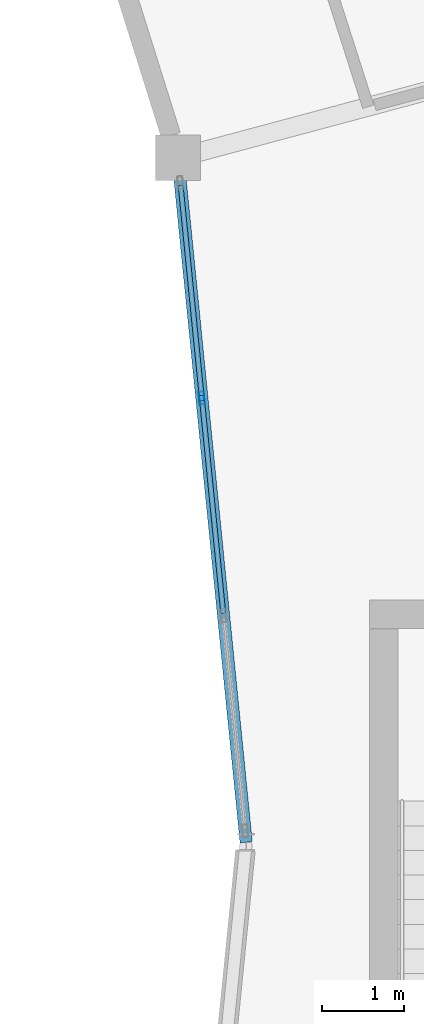
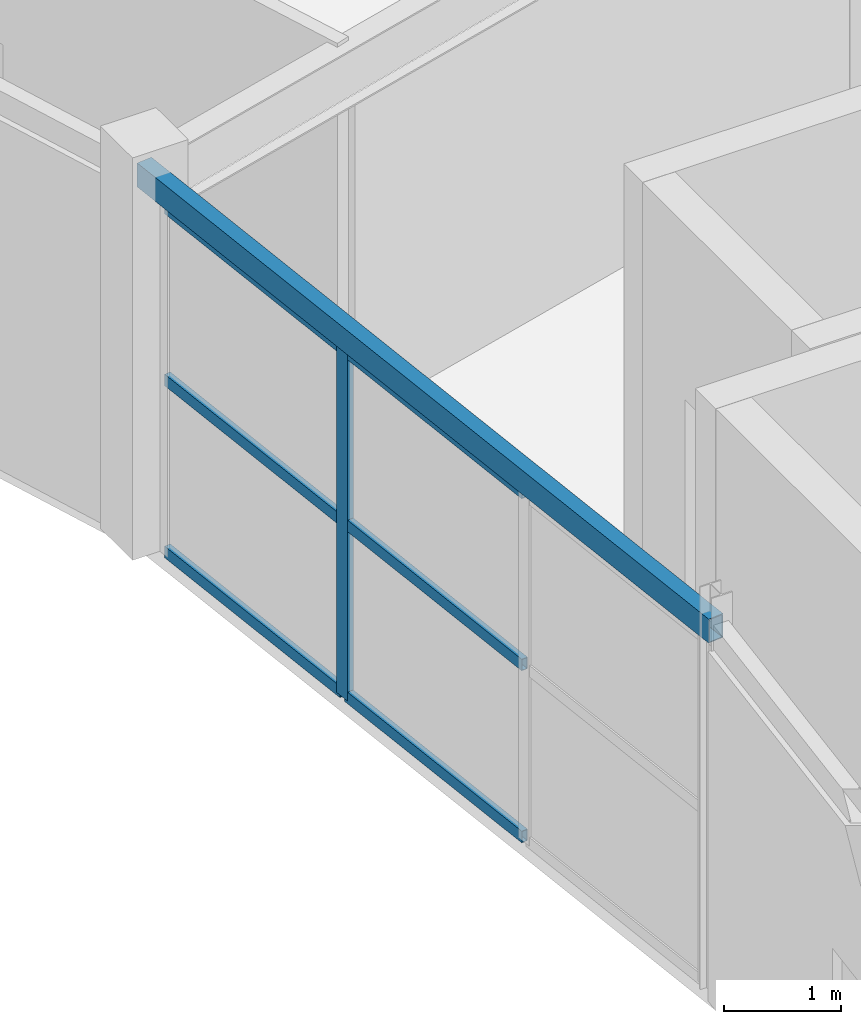
# One storey, part 72 of 157: 7 members, 1 beam, 1 element without a shape of its own.
"""IFC4 building model written with IfcOpenShell, lengths in metres."""

import ifcopenshell
import ifcopenshell.guid

model = None  # the IFC model being written
_history = None  # IfcOwnerHistory: only IFC2X3 demands one
_inside = {}  # id of a spatial element -> (the spatial element, [elements in it])
_under = {}  # id of a project, library or spatial element -> (it, [spatial elements below it])
_declared = {}  # id of a project -> (the project, [libraries it declares])
_typed = {}  # id of a type object -> (the type object, [elements of that type])
_made_of = {}  # id of a material, layer set ... -> (it, [elements and type objects made of it])


def new_model(schema):
    """Start an empty IFC model of exactly this schema.

    Asked for "IFC4X3", IfcOpenShell would pick the latest addendum, in which some entities
    have other attributes; the version numbers below select the first issue.
    IFC2X3 requires an IfcOwnerHistory on every rooted entity: one is made here for all.
    """
    global model, _history
    if schema == "IFC4X3":
        model = ifcopenshell.file(schema_version=(4, 3, 0, 0))
    else:
        model = ifcopenshell.file(schema=schema)
    _inside.clear()
    _under.clear()
    _declared.clear()
    _typed.clear()
    _made_of.clear()
    _history = None
    if model.schema == "IFC2X3":
        org = make("IfcOrganization", Name="unknown")
        user = make(
            "IfcPersonAndOrganization",
            ThePerson=make("IfcPerson", FamilyName="unknown"),
            TheOrganization=org,
        )
        app = make(
            "IfcApplication",
            ApplicationDeveloper=org,
            Version="unknown",
            ApplicationFullName="unknown",
            ApplicationIdentifier="unknown",
        )
        _history = make(
            "IfcOwnerHistory",
            OwningUser=user,
            OwningApplication=app,
            ChangeAction="ADDED",
            CreationDate=0,
        )
    return model


def make(cls, **values):
    """One entity of the class cls with the attributes given. An attribute that is None is left unset."""
    return model.create_entity(
        cls, **{name: value for name, value in values.items() if value is not None}
    )


def rooted(cls, **values):
    """An entity with a GlobalId (a new one), such as an element, a storey or a relation."""
    return make(cls, GlobalId=ifcopenshell.guid.new(), OwnerHistory=_history, **values)


def si_unit(unit_type, name, prefix=None):
    """IfcSIUnit, for example si_unit("LENGTHUNIT", "METRE", prefix="MILLI")."""
    return make("IfcSIUnit", UnitType=unit_type, Prefix=prefix, Name=name)


def assignment(units):
    """IfcUnitAssignment: the units of a project."""
    return None if units is None else make("IfcUnitAssignment", Units=units)


def point(xyz):
    """IfcCartesianPoint."""
    return None if xyz is None else make("IfcCartesianPoint", Coordinates=xyz)


def direction(xyz):
    """IfcDirection."""
    return None if xyz is None else make("IfcDirection", DirectionRatios=xyz)


def frame(location, z_axis=None, x_axis=None):
    """IfcAxis2Placement3D, a coordinate frame: its origin and axes. An axis left out is left unset."""
    return make(
        "IfcAxis2Placement3D",
        Location=point(location),
        Axis=direction(z_axis),
        RefDirection=direction(x_axis),
    )


def frame_2d(location, x_axis=None):
    """IfcAxis2Placement2D, a coordinate frame in the plane: its origin and x axis."""
    return make(
        "IfcAxis2Placement2D", Location=point(location), RefDirection=direction(x_axis)
    )


def origin():
    """The frame at (0, 0, 0) with its axes left unset."""
    return frame((0.0, 0.0, 0.0))


def origin_2d():
    """The frame at (0, 0) in the plane with its x axis left unset."""
    return frame_2d((0.0, 0.0))


def place(relative_to, where):
    """IfcLocalPlacement: puts the frame where relative to a parent placement (None: the world)."""
    return make(
        "IfcLocalPlacement", PlacementRelTo=relative_to, RelativePlacement=where
    )


def context(
    kind, dimensions, precision=None, world=None, true_north=None, identifier=None
):
    """IfcGeometricRepresentationContext, for example the 3D "Model" context."""
    return make(
        "IfcGeometricRepresentationContext",
        ContextIdentifier=identifier,
        ContextType=kind,
        CoordinateSpaceDimension=dimensions,
        Precision=precision,
        WorldCoordinateSystem=world,
        TrueNorth=true_north,
    )


def subcontext(parent, identifier, kind, view, scale=None):
    """IfcGeometricRepresentationSubContext, for example "Body" below "Model"."""
    return make(
        "IfcGeometricRepresentationSubContext",
        ContextIdentifier=identifier,
        ContextType=kind,
        ParentContext=parent,
        TargetScale=scale,
        TargetView=view,
    )


def project(units=None, contexts=None):
    """IfcProject with its units and contexts."""
    return rooted(
        "IfcProject",
        Name="project",
        RepresentationContexts=contexts,
        UnitsInContext=assignment(units),
    )


def spatial(cls, under=None, at=None, **own):
    """A site, building, storey or space (cls), placed at a placement, below another one or the project."""
    s = rooted(cls, ObjectPlacement=at, **own)
    if under is not None:
        _under.setdefault(under.id(), (under, []))[1].append(s)
    return s


def profile(cls, at=None, kind="AREA", **sizes):
    """A parametric profile (cls). Its sizes go by their IFC names, for example OverallWidth=200.0."""
    return make(cls, ProfileType=kind, Position=at, **sizes)


def hollow_rectangle(**sizes):
    """IfcRectangleHollowProfileDef."""
    return profile("IfcRectangleHollowProfileDef", **sizes)


def extrude(swept, where, along, depth):
    """IfcExtrudedAreaSolid: the profile swept, set in the frame where, extruded along a direction by depth."""
    return make(
        "IfcExtrudedAreaSolid",
        SweptArea=swept,
        Position=where,
        ExtrudedDirection=direction(along),
        Depth=depth,
    )


def shape(context_of_items, identifier, shape_type, items):
    """IfcShapeRepresentation: the items that make up one representation, for example the "Body"."""
    return make(
        "IfcShapeRepresentation",
        ContextOfItems=context_of_items,
        RepresentationIdentifier=identifier,
        RepresentationType=shape_type,
        Items=items,
    )


def material(Name=None, Category=None):
    """IfcMaterial."""
    return make("IfcMaterial", Name=Name, Category=Category)


def material_profile(
    of_material, cross_section, Name=None, Category=None, Priority=None
):
    """IfcMaterialProfile: a cross section and its material."""
    return make(
        "IfcMaterialProfile",
        Name=Name,
        Material=of_material,
        Profile=cross_section,
        Priority=Priority,
        Category=Category,
    )


def profile_set(profiles, Name=None, composite=None):
    """IfcMaterialProfileSet."""
    return make(
        "IfcMaterialProfileSet",
        Name=Name,
        MaterialProfiles=profiles,
        CompositeProfile=composite,
    )


def made_of(thing, what):
    """Note that an element or type object is made of a material, layer set ...; save() writes the relation."""
    if what is not None:
        _made_of.setdefault(what.id(), (what, []))[1].append(thing)
    return thing


def type_object(cls, material=None, **own):
    """A type object (cls), such as IfcWallType, which elements share."""
    return made_of(rooted(cls, **own), material)


def element(
    cls,
    number,
    at=None,
    inside=None,
    cuts=None,
    type_object=None,
    material=None,
    context=None,
    identifier="Body",
    shape_type=None,
    held_by="IfcProductDefinitionShape",
    body=None,
    shapes=None,
    **own,
):
    """One element of the class cls, such as IfcWall. Its Tag is "e" and its number.

    at: its placement. inside: the storey or other place that contains it. cuts: it is an
    opening in that element (IfcRelVoidsElement). A single representation is given by context,
    identifier, shape_type and body (its items); several are given by shapes. held_by: the class
    of the entity that holds the representations. save() writes the other relations.
    """
    e = rooted(cls, Tag="e%d" % number, ObjectPlacement=at, **own)
    if body is not None:
        shapes = [shape(context, identifier, shape_type, body)]
    if shapes is not None:
        e.Representation = make(held_by, Representations=shapes)
    if inside is not None:
        _inside.setdefault(inside.id(), (inside, []))[1].append(e)
    if cuts is not None:
        rooted(
            "IfcRelVoidsElement", RelatingBuildingElement=cuts, RelatedOpeningElement=e
        )
    if type_object is not None:
        _typed.setdefault(type_object.id(), (type_object, []))[1].append(e)
    return made_of(e, material)


def aggregate(whole, parts):
    """IfcRelAggregates: a whole, such as a stair, and the parts it consists of."""
    return rooted("IfcRelAggregates", RelatingObject=whole, RelatedObjects=parts)


def save(model, path):
    """Write the relations noted so far, then the file.

    IfcRelAggregates (storeys below a building ...), IfcRelContainedInSpatialStructure (elements
    in a storey), IfcRelDefinesByType, IfcRelAssociatesMaterial and IfcRelDeclares: one each for
    every whole, place, type object, material and project.
    """
    for whole, parts in _under.values():
        aggregate(whole, parts)
    for where, things in _inside.values():
        rooted(
            "IfcRelContainedInSpatialStructure",
            RelatedElements=things,
            RelatingStructure=where,
        )
    for kind, things in _typed.values():
        rooted("IfcRelDefinesByType", RelatedObjects=things, RelatingType=kind)
    for what, things in _made_of.values():
        rooted("IfcRelAssociatesMaterial", RelatedObjects=things, RelatingMaterial=what)
    for by, libraries in _declared.values():
        rooted("IfcRelDeclares", RelatingContext=by, RelatedDefinitions=libraries)
    model.write(path)


model = new_model("IFC4")

# Units and contexts
model_context = context("Model", 3, precision=1e-05, world=origin(), true_north=direction((0.0, 1.0)))
body_context = subcontext(model_context, "Body", "Model", "MODEL_VIEW")
ifc_project = project(units=[si_unit("LENGTHUNIT", "METRE"), si_unit("AREAUNIT", "SQUARE_METRE"), si_unit("VOLUMEUNIT", "CUBIC_METRE"), si_unit("PLANEANGLEUNIT", "RADIAN"), si_unit("MASSUNIT", "GRAM", prefix="KILO")], contexts=[model_context])

# Site, building, storey
site_placement = place(None, origin())
site = spatial("IfcSite", under=ifc_project, at=site_placement, CompositionType="ELEMENT")
building_placement = place(site_placement, origin())
building = spatial("IfcBuilding", under=site, at=building_placement, Name="Karori Crest Natural Sciences Institute", CompositionType="ELEMENT")
storey_placement = place(building_placement, frame((0.0, 0.0, 13.300048828125)))
storey = spatial("IfcBuildingStorey", under=building, at=storey_placement, Name="L03", CompositionType="ELEMENT", Elevation=13.300048828125)

# Beam
ifc_material_1 = material(Name="Hollow structural steel AS/NZS 1163 Grade C350", Category="steel")
ifc_material_profile_1 = material_profile(ifc_material_1, hollow_rectangle(XDim=0.14990234375, YDim=0.25, WallThickness=0.009033203125, at=origin_2d()), Name="RHS250x150x9")
ifc_profile_set_1 = profile_set([ifc_material_profile_1], Name="Hollow structural steel AS/NZS 1163 Grade C350")
beam_type = type_object("IfcBeamType", Name="BT-16", PredefinedType="SPANDREL", material=ifc_profile_set_1)
beam_placement = place(storey_placement, frame((90.800048828125, 49.89990234375, 3.7900390625), z_axis=(-0.099284371237, 0.99505910057, 0.0), x_axis=(-0.99505910057, -0.099284371237, 0.0)))
element("IfcBeam", 1, at=beam_placement, inside=storey, type_object=beam_type, Name="Beam B-0362", PredefinedType="SPANDREL", context=body_context, shape_type="SweptSolid", body=[
    extrude(hollow_rectangle(XDim=0.14990234375, YDim=0.25, WallThickness=0.009033203125, at=origin_2d()), origin(), (0.0, 0.0, 1.0), 8.37548828125),
])

# Curtain wall, members
ifc_material_2 = material(Name="Anodised architectural aluminium 6063-T6", Category="aluminium")
curtain_wall_type = type_object("IfcCurtainWallType", Name="CWT-11", PredefinedType="NOTDEFINED", material=ifc_material_2)
curtain_wall_placement = place(storey_placement, origin())
curtain_wall = element("IfcCurtainWall", 2, at=curtain_wall_placement, inside=storey, type_object=curtain_wall_type, Name="Curtain wall CW-0101", PredefinedType="NOTDEFINED")
ifc_material_profile_2 = material_profile(ifc_material_2, hollow_rectangle(XDim=0.06494140625, YDim=0.159912109375, WallThickness=0.00390625, at=origin_2d()), Name="CWM160x65x4")
ifc_profile_set_2 = profile_set([ifc_material_profile_2], Name="Anodised architectural aluminium 6063-T6")
member_type_1 = type_object("IfcMemberType", Name="CWM-01", PredefinedType="MULLION", material=ifc_profile_set_2)
member_1_placement = place(storey_placement, frame((90.260498046875, 55.308349609375, 0.0), z_axis=(0.0, 0.0, 1.0), x_axis=(-0.995060684604, -0.099268494275, 0.0)))
member_1 = element("IfcMember", 3, at=member_1_placement, type_object=member_type_1, Name="CW-0101 mullion 3", PredefinedType="MULLION", context=body_context, shape_type="SweptSolid", body=[
    extrude(hollow_rectangle(XDim=0.06494140625, YDim=0.159912109375, WallThickness=0.00390625, at=origin_2d()), origin(), (0.0, 0.0, 1.0), 3.64990234375),
])
ifc_material_profile_3 = material_profile(ifc_material_2, hollow_rectangle(XDim=0.06005859375, YDim=0.1201171875, WallThickness=0.00390625, at=origin_2d()), Name="CWT120x60x4")
ifc_profile_set_3 = profile_set([ifc_material_profile_3], Name="Anodised architectural aluminium 6063-T6")
member_type_2 = type_object("IfcMemberType", Name="CWT-TR1", PredefinedType="USERDEFINED", material=ifc_profile_set_3)
member_2_placement = place(storey_placement, frame((90.521728515625, 52.68798828125, 0.030029296875), z_axis=(-0.099224881273, 0.995065034526, 0.0), x_axis=(-0.995065034526, -0.099224881273, 0.0)))
member_2 = element("IfcMember", 4, at=member_2_placement, type_object=member_type_2, Name="CW-0101 transom 2.1", ObjectType="TRANSOM", PredefinedType="USERDEFINED", context=body_context, shape_type="SweptSolid", body=[
    extrude(hollow_rectangle(XDim=0.06005859375, YDim=0.1201171875, WallThickness=0.00390625, at=origin_2d()), origin(), (0.0, 0.0, 1.0), 2.600830078125),
])
member_3_placement = place(storey_placement, frame((90.521728515625, 52.68798828125, 1.824951171875), z_axis=(-0.099224881273, 0.995065034526, 0.0), x_axis=(-0.995065034526, -0.099224881273, 0.0)))
member_3 = element("IfcMember", 5, at=member_3_placement, type_object=member_type_2, Name="CW-0101 transom 2.2", ObjectType="TRANSOM", PredefinedType="USERDEFINED", context=body_context, shape_type="SweptSolid", body=[
    extrude(hollow_rectangle(XDim=0.06005859375, YDim=0.1201171875, WallThickness=0.00390625, at=origin_2d()), origin(), (0.0, 0.0, 1.0), 2.600830078125),
])
member_4_placement = place(storey_placement, frame((90.521728515625, 52.68798828125, 3.619873046875), z_axis=(-0.099224881273, 0.995065034526, 0.0), x_axis=(-0.995065034526, -0.099224881273, 0.0)))
member_4 = element("IfcMember", 6, at=member_4_placement, type_object=member_type_2, Name="CW-0101 transom 2.3", ObjectType="TRANSOM", PredefinedType="USERDEFINED", context=body_context, shape_type="SweptSolid", body=[
    extrude(hollow_rectangle(XDim=0.06005859375, YDim=0.1201171875, WallThickness=0.00390625, at=origin_2d()), origin(), (0.0, 0.0, 1.0), 2.600830078125),
])
member_5_placement = place(storey_placement, frame((90.25732421875, 55.340576171875, 0.030029296875), z_axis=(-0.0993343095, 0.995054116597, 0.0), x_axis=(-0.995054116597, -0.0993343095, 0.0)))
member_5 = element("IfcMember", 7, at=member_5_placement, type_object=member_type_2, Name="CW-0101 transom 3.1", ObjectType="TRANSOM", PredefinedType="USERDEFINED", context=body_context, shape_type="SweptSolid", body=[
    extrude(hollow_rectangle(XDim=0.06005859375, YDim=0.1201171875, WallThickness=0.00390625, at=origin_2d()), origin(), (0.0, 0.0, 1.0), 2.568359375),
])
member_6_placement = place(storey_placement, frame((90.25732421875, 55.340576171875, 1.824951171875), z_axis=(-0.0993343095, 0.995054116597, 0.0), x_axis=(-0.995054116597, -0.0993343095, 0.0)))
member_6 = element("IfcMember", 8, at=member_6_placement, type_object=member_type_2, Name="CW-0101 transom 3.2", ObjectType="TRANSOM", PredefinedType="USERDEFINED", context=body_context, shape_type="SweptSolid", body=[
    extrude(hollow_rectangle(XDim=0.06005859375, YDim=0.1201171875, WallThickness=0.00390625, at=origin_2d()), origin(), (0.0, 0.0, 1.0), 2.568359375),
])
member_7_placement = place(storey_placement, frame((90.25732421875, 55.340576171875, 3.619873046875), z_axis=(-0.0993343095, 0.995054116597, 0.0), x_axis=(-0.995054116597, -0.0993343095, 0.0)))
member_7 = element("IfcMember", 9, at=member_7_placement, type_object=member_type_2, Name="CW-0101 transom 3.3", ObjectType="TRANSOM", PredefinedType="USERDEFINED", context=body_context, shape_type="SweptSolid", body=[
    extrude(hollow_rectangle(XDim=0.06005859375, YDim=0.1201171875, WallThickness=0.00390625, at=origin_2d()), origin(), (0.0, 0.0, 1.0), 2.568359375),
])
aggregate(curtain_wall, [member_1, member_2, member_3, member_4, member_5, member_6, member_7])

save(model, "model.ifc")
